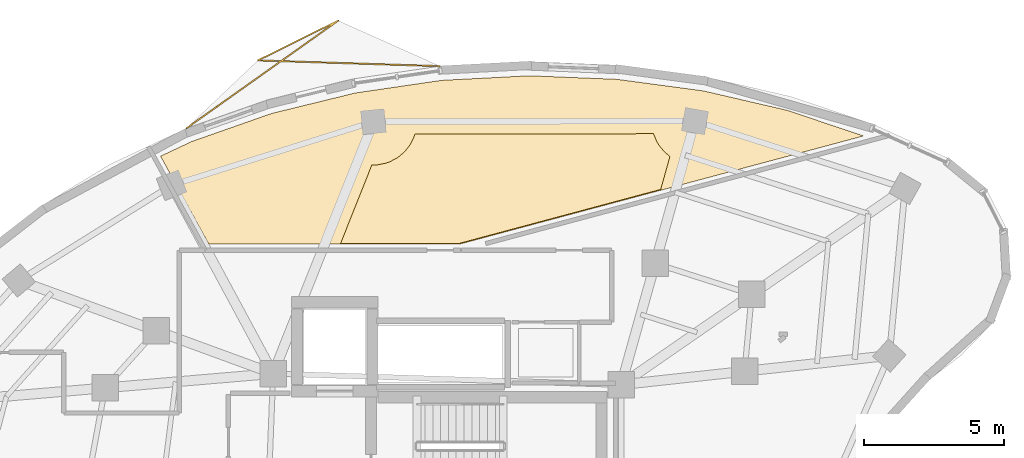
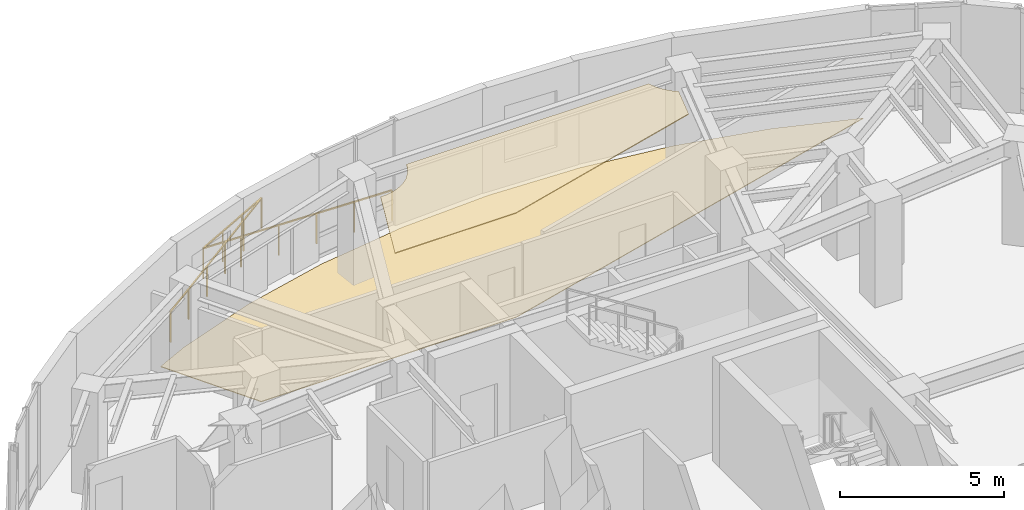
# One storey, part 13 of 13: 2 coverings, 1 railing.
"""IFC4 building model written with IfcOpenShell, lengths in metres."""

from ifc_helpers import new_model, si_unit, direction, frame, origin, origin_2d, place, context, subcontext, project, spatial, polyline, rectangle, outline, extrude, material, layer, layer_set, type_object, element, save


model = new_model("IFC4")

# Units and contexts
model_context = context("Model", 3, precision=1e-05, world=origin(), true_north=direction((0.0, 1.0)))
body_context = subcontext(model_context, "Body", "Model", "MODEL_VIEW")
ifc_project = project(units=[si_unit("LENGTHUNIT", "METRE"), si_unit("AREAUNIT", "SQUARE_METRE"), si_unit("VOLUMEUNIT", "CUBIC_METRE"), si_unit("PLANEANGLEUNIT", "RADIAN"), si_unit("MASSUNIT", "GRAM", prefix="KILO")], contexts=[model_context])

# Site, building, storey
site_placement = place(None, origin())
site = spatial("IfcSite", under=ifc_project, at=site_placement, CompositionType="ELEMENT")
building_placement = place(site_placement, origin())
building = spatial("IfcBuilding", under=site, at=building_placement, Name="Korentha Bioscience Tower", CompositionType="ELEMENT")
storey_placement = place(building_placement, frame((0.0, 0.0, 273.0)))
storey = spatial("IfcBuildingStorey", under=building, at=storey_placement, Name="L63", CompositionType="ELEMENT", Elevation=273.0)

# Covering
ifc_material_1 = material(Name="Honed Travertine Limestone", Category="masonry")
ifc_layer_1 = layer(ifc_material_1, 0.02490234375, Name="Honed Travertine Limestone")
ifc_layer_set_1 = layer_set([ifc_layer_1], Name="Honed Travertine Limestone (FL-STN)")
covering_type_1 = type_object("IfcCoveringType", Name="Honed Travertine Lobby Stone Flooring 25", PredefinedType="FLOORING", material=ifc_layer_set_1)
covering_1_placement = place(storey_placement, origin())
element("IfcCovering", 1, at=covering_1_placement, inside=storey, type_object=covering_type_1, Name="L63 Floor Concierge Reception 05 Floor Finish", PredefinedType="FLOORING", context=body_context, shape_type="SweptSolid", body=[
    extrude(outline(polyline([(22.189453125, 44.552001953125), (25.043701171875, 45.554443359375), (28.0361328125, 46.287109375), (31.122802734375, 46.739013671875), (34.2587890625, 46.90283203125), (37.39794921875, 46.7763671875), (40.49365234375, 46.361328125), (43.501220703125, 45.66455078125), (46.217041015625, 44.749267578125), (31.77685546875, 40.8798828125), (22.79931640625, 40.8798828125), (21.072998046875, 44.027099609375), (22.189453125, 44.552001953125)])), origin(), (0.0, 0.0, 1.0), 0.02490234375),
])

# Railing
ifc_material_2 = material(Name="Laminated Tempered Safety Glass", Category="glass")
railing_type = type_object("IfcRailingType", Name="Laminated Glass Balcony Guardrail 1150", PredefinedType="BALUSTRADE", material=ifc_material_2)
railing_placement = place(storey_placement, frame((31.07275390625, 47.2470703125, 0.0)))
element("IfcRailing", 2, at=railing_placement, inside=storey, type_object=railing_type, Name="L63 Balcony Guardrail 01", PredefinedType="BALUSTRADE", context=body_context, shape_type="SweptSolid", body=[
    extrude(rectangle(XDim=0.048095703125, YDim=0.048095703125, at=origin_2d()), frame((0.0, 0.0, 1.1259765625), z_axis=(-0.999504451184, 0.031477802705, 0.0), x_axis=(-0.031477802705, -0.999504451184, 0.0)), (0.0, 0.0, 1.0), 6.522705078125),
    extrude(rectangle(XDim=0.048095703125, YDim=0.048095703125, at=origin_2d()), frame((-6.51953125, 0.205322265625, 1.1259765625), z_axis=(0.895989732178, 0.444074768289, 0.0), x_axis=(-0.444074768289, 0.895989732178, 0.0)), (0.0, 0.0, 1.0), 3.207275390625),
    extrude(rectangle(XDim=0.048095703125, YDim=0.048095703125, at=origin_2d()), frame((-3.645751953125, 1.629638671875, 1.1259765625), z_axis=(-0.815641658811, -0.578557416695, 0.0), x_axis=(0.578557416695, -0.815641658811, 0.0)), (0.0, 0.0, 1.0), 6.658447265625),
    extrude(rectangle(XDim=0.0419921875, YDim=0.0419921875, at=origin_2d()), origin(), (0.0, 0.0, 1.0), 1.101806640625),
    extrude(rectangle(XDim=0.0419921875, YDim=0.0419921875, at=origin_2d()), frame((-1.303955078125, 0.041015625, 0.0)), (0.0, 0.0, 1.0), 1.101806640625),
    extrude(rectangle(XDim=0.0419921875, YDim=0.0419921875, at=origin_2d()), frame((-2.60791015625, 0.08203125, 0.0)), (0.0, 0.0, 1.0), 1.101806640625),
    extrude(rectangle(XDim=0.0419921875, YDim=0.0419921875, at=origin_2d()), frame((-3.91162109375, 0.123291015625, 0.0)), (0.0, 0.0, 1.0), 1.101806640625),
    extrude(rectangle(XDim=0.0419921875, YDim=0.0419921875, at=origin_2d()), frame((-5.215576171875, 0.164306640625, 0.0)), (0.0, 0.0, 1.0), 1.101806640625),
    extrude(rectangle(XDim=0.0419921875, YDim=0.0419921875, at=origin_2d()), frame((-6.51953125, 0.205322265625, 0.0)), (0.0, 0.0, 1.0), 1.101806640625),
    extrude(rectangle(XDim=0.0419921875, YDim=0.0419921875, at=origin_2d()), frame((-5.5615234375, 0.68017578125, 0.0)), (0.0, 0.0, 1.0), 1.101806640625),
    extrude(rectangle(XDim=0.0419921875, YDim=0.0419921875, at=origin_2d()), frame((-4.603759765625, 1.15478515625, 0.0)), (0.0, 0.0, 1.0), 1.101806640625),
    extrude(rectangle(XDim=0.0419921875, YDim=0.0419921875, at=origin_2d()), frame((-3.645751953125, 1.629638671875, 0.0)), (0.0, 0.0, 1.0), 1.101806640625),
    extrude(rectangle(XDim=0.0419921875, YDim=0.0419921875, at=origin_2d()), frame((-4.73193359375, 0.859130859375, 0.0)), (0.0, 0.0, 1.0), 1.101806640625),
    extrude(rectangle(XDim=0.0419921875, YDim=0.0419921875, at=origin_2d()), frame((-5.818115234375, 0.088623046875, 0.0)), (0.0, 0.0, 1.0), 1.101806640625),
    extrude(rectangle(XDim=0.0419921875, YDim=0.0419921875, at=origin_2d()), frame((-6.904296875, -0.681640625, 0.0)), (0.0, 0.0, 1.0), 1.101806640625),
    extrude(rectangle(XDim=0.0419921875, YDim=0.0419921875, at=origin_2d()), frame((-7.990478515625, -1.4521484375, 0.0)), (0.0, 0.0, 1.0), 1.101806640625),
    extrude(rectangle(XDim=0.0419921875, YDim=0.0419921875, at=origin_2d()), frame((-9.07666015625, -2.22265625, 0.0)), (0.0, 0.0, 1.0), 1.101806640625),
])

# Covering
ifc_material_3 = material(Name="Antimicrobial Mineral Fibre Board", Category="gypsum")
ifc_layer_2 = layer(ifc_material_3, 0.034912109375, Name="Antimicrobial Mineral Fibre Board")
ifc_layer_set_2 = layer_set([ifc_layer_2], Name="Antimicrobial Mineral Fibre Board (CL-MF35)")
covering_type_2 = type_object("IfcCoveringType", Name="Mineral-Fibre Cleanroom Suspended Ceiling 35", PredefinedType="CEILING", material=ifc_layer_set_2)
covering_2_placement = place(storey_placement, frame((0.0, 0.0, 3.844970703125)))
element("IfcCovering", 3, at=covering_2_placement, inside=storey, type_object=covering_type_2, Name="L63 Floor Concierge Reception 05 Acoustic Ceiling", PredefinedType="CEILING", context=body_context, shape_type="SweptSolid", body=[
    extrude(outline(polyline([(27.515380859375, 40.909912109375), (28.631591796875, 43.71337890625), (28.83984375, 43.71826171875), (29.137939453125, 43.77734375), (29.28125, 43.82861328125), (29.549072265625, 43.971923828125), (29.783935546875, 44.164794921875), (29.976806640625, 44.399658203125), (30.1201171875, 44.66748046875), (30.172119140625, 44.81396484375), (38.70703125, 44.830078125), (38.822509765625, 44.551513671875), (38.900634765625, 44.421142578125), (39.093505859375, 44.186279296875), (39.295654296875, 44.017822265625), (38.965087890625, 42.837158203125), (31.772705078125, 40.909912109375), (27.515380859375, 40.909912109375)])), origin(), (0.0, 0.0, 1.0), 0.034912109375),
])

save(model, "model.ifc")
